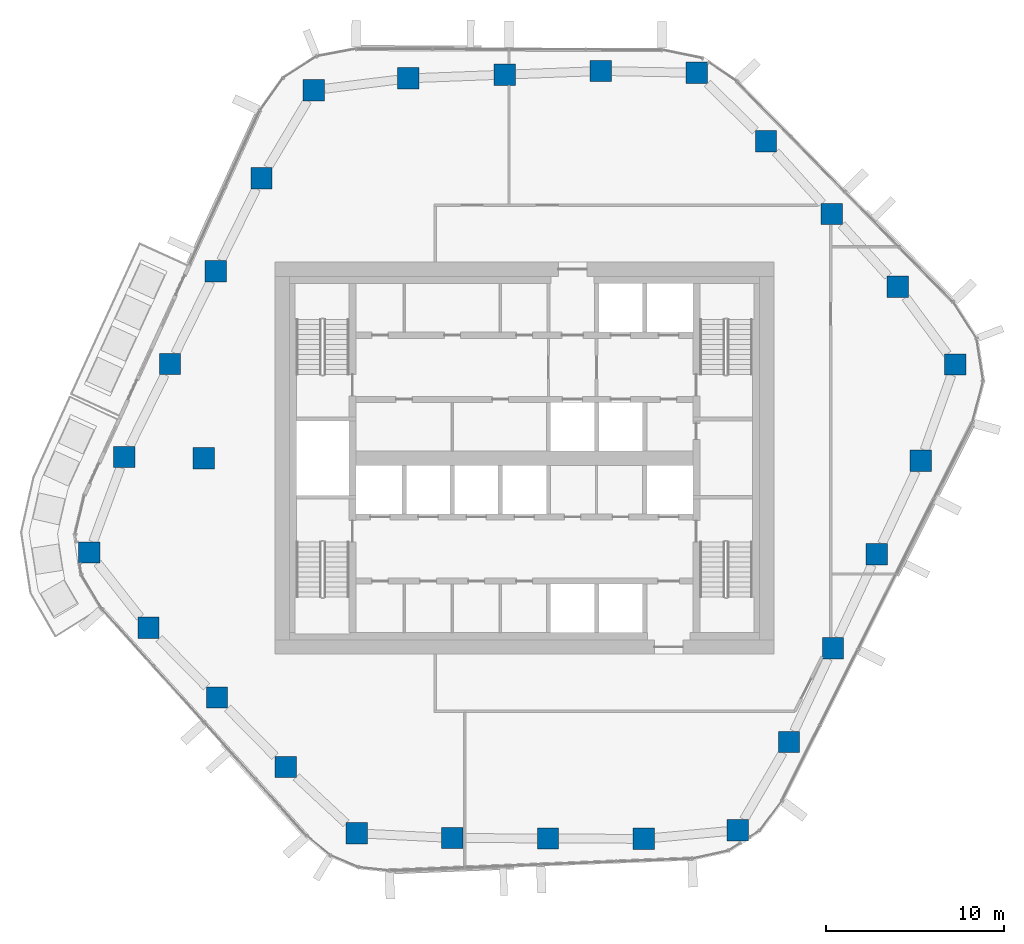
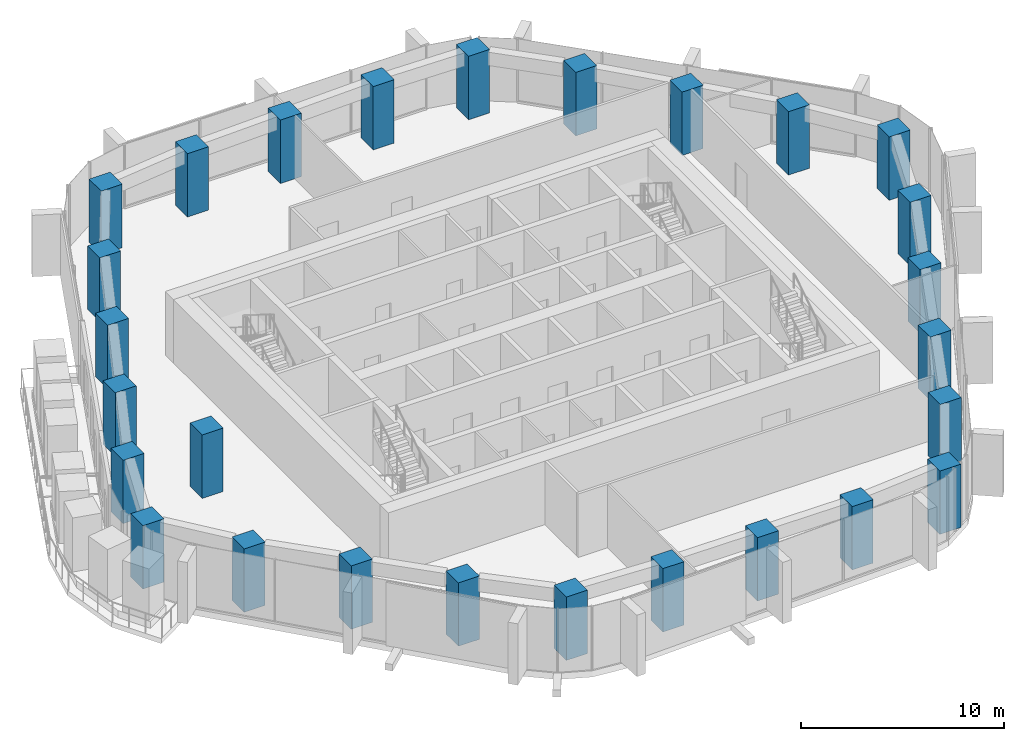
# One storey, part 1 of 18: 27 columns.
"""IFC4 building model written with IfcOpenShell, lengths in metres."""

from ifc_helpers import new_model, si_unit, direction, frame, origin, origin_2d, place, context, subcontext, project, spatial, rectangle, extrude, material, material_profile, profile_set, type_object, element, save


model = new_model("IFC4")

# Units and contexts
model_context = context("Model", 3, precision=1e-05, world=origin(), true_north=direction((0.0, 1.0)))
body_context = subcontext(model_context, "Body", "Model", "MODEL_VIEW")
ifc_project = project(units=[si_unit("LENGTHUNIT", "METRE"), si_unit("AREAUNIT", "SQUARE_METRE"), si_unit("VOLUMEUNIT", "CUBIC_METRE"), si_unit("PLANEANGLEUNIT", "RADIAN"), si_unit("MASSUNIT", "GRAM", prefix="KILO")], contexts=[model_context])

# Site, building, storey
site_placement = place(None, origin())
site = spatial("IfcSite", under=ifc_project, at=site_placement, CompositionType="ELEMENT")
building_placement = place(site_placement, origin())
building = spatial("IfcBuilding", under=site, at=building_placement, Name="Dongbaek Canopy Tower", CompositionType="ELEMENT")
storey_placement = place(building_placement, frame((0.0, 0.0, 203.0)))
storey = spatial("IfcBuildingStorey", under=building, at=storey_placement, Name="L42", CompositionType="ELEMENT", Elevation=203.0)

# Columns
ifc_material = material(Name="Concrete C70", Category="concrete")
ifc_material_profile = material_profile(ifc_material, rectangle(XDim=1.199951171875, YDim=1.199951171875, at=origin_2d()), Name="RC COLUMN 1200x1200 C70")
ifc_profile_set = profile_set([ifc_material_profile], Name="Concrete C70")
column_type = type_object("IfcColumnType", Name="RC COLUMN 1200x1200 C70", PredefinedType="COLUMN", material=ifc_profile_set)
for number, where, z_axis, x_axis, name in (
    (1, (11.971923828125, -20.885009765625, 0.0), (0.0, 0.0, 1.0), (1.0, 0.0, 0.0), "COL:CZ3-01:L42"),
    (2, (6.697998046875, -21.3720703125, 0.0), (0.0, 0.0, 1.0), (1.0, 0.0, 0.0), "COL:CZ3-02:L42"),
    (3, (1.321044921875, -21.347900390625, 0.0), (0.0, 0.0, 1.0), (1.0, 0.0, 0.0), "COL:CZ3-03:L42"),
    (4, (-4.054931640625, -21.323974609375, 0.0), (0.0, 0.0, 1.0), (1.0, 0.0, 0.0), "COL:CZ3-04:L42"),
    (5, (-9.407958984375, -21.06103515625, 0.0), (0.0, 0.0, 1.0), (1.0, 0.0, 0.0), "COL:CZ3-05:L42"),
    (6, (-13.409912109375, -17.339111328125, 0.0), (0.0, 0.0, 1.0), (1.0, 0.0, 0.0), "COL:CZ3-06:L42"),
    (7, (-17.258056640625, -13.431884765625, 0.0), (0.0, 0.0, 1.0), (1.0, 0.0, 0.0), "COL:CZ3-07:L42"),
    (8, (-21.10595703125, -9.52490234375, 0.0), (0.0, 0.0, 1.0), (1.0, 0.0, 0.0), "COL:CZ3-08:L42"),
    (9, (-24.43505859375, -5.2939453125, 0.0), (0.0, 0.0, 1.0), (1.0, 0.0, 0.0), "COL:CZ3-09:L42"),
    (10, (-22.4619140625, 0.06689453125, 0.0), (0.0, 0.0, 1.0), (1.0, 0.0, 0.0), "COL:CZ3-10:L42"),
    (11, (-19.89599609375, 5.287109375, 0.0), (0.0, 0.0, 1.0), (1.0, 0.0, 0.0), "COL:CZ3-11:L42"),
    (12, (-17.327880859375, 10.5048828125, 0.0), (0.0, 0.0, 1.0), (1.0, 0.0, 0.0), "COL:CZ3-12:L42"),
    (13, (-14.761962890625, 15.72412109375, 0.0), (0.0, 0.0, 1.0), (1.0, 0.0, 0.0), "COL:CZ3-13:L42"),
    (14, (-11.822998046875, 20.660888671875, 0.0), (0.0, 0.0, 1.0), (1.0, 0.0, 0.0), "COL:CZ3-14:L42"),
    (15, (-6.52197265625, 21.322998046875, 0.0), (0.0, 0.0, 1.0), (1.0, 0.0, 0.0), "COL:CZ3-15:L42"),
    (16, (-1.113037109375, 21.530029296875, 0.0), (0.0, 0.0, 1.0), (1.0, 0.0, 0.0), "COL:CZ3-16:L42"),
    (17, (4.294921875, 21.736083984375, 0.0), (0.0, 0.0, 1.0), (1.0, 0.0, 0.0), "COL:CZ3-17:L42"),
    (18, (9.666015625, 21.635009765625, 0.0), (0.0, 0.0, 1.0), (1.0, 0.0, 0.0), "COL:CZ3-18:L42"),
    (19, (13.56005859375, 17.7919921875, 0.0), (0.0, 0.0, 1.0), (1.0, 0.0, 0.0), "COL:CZ3-19:L42"),
    (20, (17.260986328125, 13.7060546875, 0.0), (0.0, 0.0, 1.0), (1.0, 0.0, 0.0), "COL:CZ3-20:L42"),
    (21, (20.9599609375, 9.62109375, 0.0), (0.0, 0.0, 1.0), (1.0, 0.0, 0.0), "COL:CZ3-21:L42"),
    (22, (24.179931640625, 5.257080078125, 0.0), (0.0, 0.0, 1.0), (1.0, 0.0, 0.0), "COL:CZ3-22:L42"),
    (23, (22.25390625, -0.134033203125, 0.0), (0.0, 0.0, 1.0), (1.0, 0.0, 0.0), "COL:CZ3-23:L42"),
    (24, (19.7880859375, -5.39892578125, 0.0), (0.0, 0.0, 1.0), (1.0, 0.0, 0.0), "COL:CZ3-24:L42"),
    (25, (17.322021484375, -10.666015625, 0.0), (0.0, 0.0, 1.0), (1.0, 0.0, 0.0), "COL:CZ3-25:L42"),
    (26, (14.85498046875, -15.931884765625, 0.0), (0.0, 0.0, 1.0), (1.0, 0.0, 0.0), "COL:CZ3-26:L42"),
    (27, (-18.0, 0.0, 0.0), (0.0, 0.0, 1.0), (1.0, 0.0, 0.0), "COL:CIZ3-01:L42"),
):
    element("IfcColumn", number, at=place(storey_placement, frame(where, z_axis=z_axis, x_axis=x_axis)), inside=storey, type_object=column_type, Name=name, PredefinedType="COLUMN", context=body_context, shape_type="SweptSolid", body=[
        extrude(rectangle(XDim=1.199951171875, YDim=1.199951171875, at=origin_2d()), origin(), (0.0, 0.0, 1.0), 3.820068359375),
    ])

save(model, "model.ifc")
